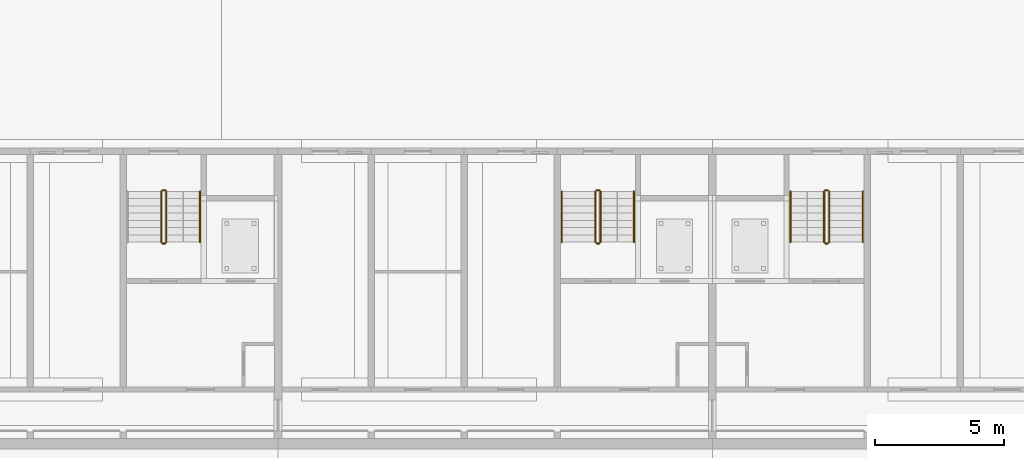
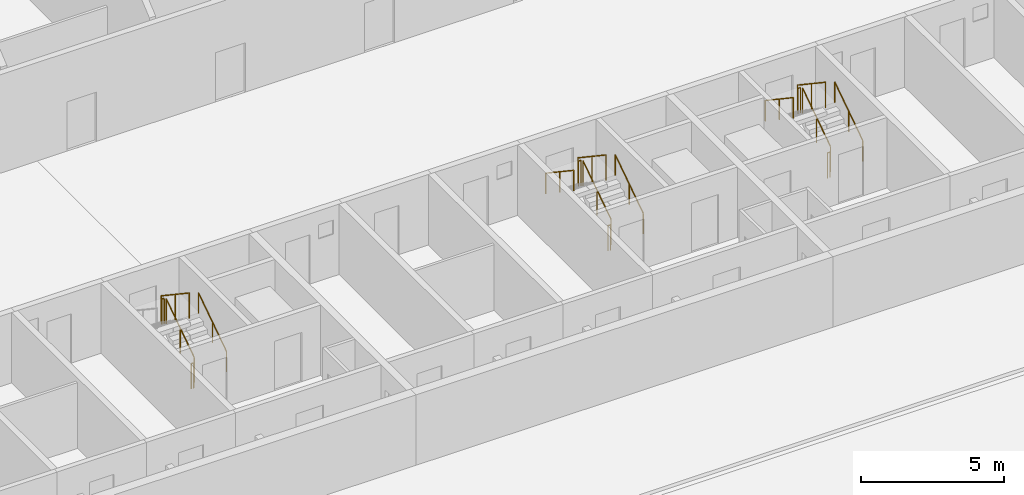
# One storey, part 102 of 112: 17 railings.
"""IFC4 building model written with IfcOpenShell, lengths in metres."""

from ifc_helpers import new_model, si_unit, direction, frame, origin, origin_2d, place, context, subcontext, project, spatial, circle, extrude, material, type_object, element, save


model = new_model("IFC4")

# Units and contexts
model_context = context("Model", 3, precision=1e-05, world=origin(), true_north=direction((0.0, 1.0)))
body_context = subcontext(model_context, "Body", "Model", "MODEL_VIEW")
ifc_project = project(units=[si_unit("LENGTHUNIT", "METRE"), si_unit("AREAUNIT", "SQUARE_METRE"), si_unit("VOLUMEUNIT", "CUBIC_METRE"), si_unit("PLANEANGLEUNIT", "RADIAN"), si_unit("MASSUNIT", "GRAM", prefix="KILO")], contexts=[model_context])

# Site, building, storey
site_placement = place(None, origin())
site = spatial("IfcSite", under=ifc_project, at=site_placement, CompositionType="ELEMENT")
building_placement = place(site_placement, origin())
building = spatial("IfcBuilding", under=site, at=building_placement, Name="Ridgestep Commons", CompositionType="ELEMENT")
storey_placement = place(building_placement, origin())
storey = spatial("IfcBuildingStorey", under=building, at=storey_placement, Name="L00", CompositionType="ELEMENT", Elevation=0.0)

# Railings
ifc_material_1 = material(Name="Structural steel S355JR", Category="steel")
railing_type_1 = type_object("IfcRailingType", Name="Stair guard 1100", PredefinedType="GUARDRAIL", material=ifc_material_1)
railing_1_placement = place(storey_placement, frame((192.875, 19.35009765625, 0.1875)))
element("IfcRailing", 1, at=railing_1_placement, inside=storey, type_object=railing_type_1, Name="L00 D3C stair guard 1", PredefinedType="GUARDRAIL", context=body_context, shape_type="SweptSolid", body=[
    extrude(circle(Radius=0.02392578125, at=origin_2d()), frame((0.0, 0.0, 1.076171875), z_axis=(0.0, 0.830902050051, 0.556418712142), x_axis=(-1.0, 0.0, 0.0)), (0.0, 0.0, 1.0), 2.35888671875),
    extrude(circle(Radius=0.02099609375, at=origin_2d()), origin(), (0.0, 0.0, 1.0), 1.052001953125),
    extrude(circle(Radius=0.02099609375, at=origin_2d()), frame((0.0, 0.97998046875, 0.65625)), (0.0, 0.0, 1.0), 1.052001953125),
    extrude(circle(Radius=0.02099609375, at=origin_2d()), frame((0.0, 1.9599609375, 1.3125)), (0.0, 0.0, 1.0), 1.052001953125),
])
railing_2_placement = place(storey_placement, frame((192.824951171875, 21.360107421875, 1.5)))
element("IfcRailing", 2, at=railing_2_placement, inside=storey, type_object=railing_type_1, Name="L00 D3C stair guard 2", PredefinedType="GUARDRAIL", context=body_context, shape_type="SweptSolid", body=[
    extrude(circle(Radius=0.02392578125, at=origin_2d()), frame((0.0, 0.0, 1.076171875), z_axis=(-1.0, 0.0, 0.0), x_axis=(0.0, -1.0, 0.0)), (0.0, 0.0, 1.0), 0.099853515625),
    extrude(circle(Radius=0.02099609375, at=origin_2d()), origin(), (0.0, 0.0, 1.0), 1.052001953125),
    extrude(circle(Radius=0.02099609375, at=origin_2d()), frame((-0.099853515625, 0.0, 0.0)), (0.0, 0.0, 1.0), 1.052001953125),
])
railing_3_placement = place(storey_placement, frame((192.675048828125, 21.31005859375, 1.6875)))
element("IfcRailing", 3, at=railing_3_placement, inside=storey, type_object=railing_type_1, Name="L00 D3C stair guard 3", PredefinedType="GUARDRAIL", context=body_context, shape_type="SweptSolid", body=[
    extrude(circle(Radius=0.02392578125, at=origin_2d()), frame((0.0, 0.0, 1.076171875), z_axis=(0.0, -0.830902050051, 0.556418712142), x_axis=(1.0, 0.0, 0.0)), (0.0, 0.0, 1.0), 2.35888671875),
    extrude(circle(Radius=0.02099609375, at=origin_2d()), origin(), (0.0, 0.0, 1.0), 1.052001953125),
    extrude(circle(Radius=0.02099609375, at=origin_2d()), frame((0.0, -0.97998046875, 0.65625)), (0.0, 0.0, 1.0), 1.052001953125),
    extrude(circle(Radius=0.02099609375, at=origin_2d()), frame((0.0, -1.9599609375, 1.3125)), (0.0, 0.0, 1.0), 1.052001953125),
])
railing_4_placement = place(storey_placement, frame((192.824951171875, 19.300048828125, 0.0)))
element("IfcRailing", 4, at=railing_4_placement, inside=storey, type_object=railing_type_1, Name="L00 D3C stair guard 4", PredefinedType="GUARDRAIL", context=body_context, shape_type="SweptSolid", body=[
    extrude(circle(Radius=0.02392578125, at=origin_2d()), frame((0.0, 0.0, 1.076171875), z_axis=(-1.0, 0.0, 0.0), x_axis=(0.0, -1.0, 0.0)), (0.0, 0.0, 1.0), 0.099853515625),
    extrude(circle(Radius=0.02099609375, at=origin_2d()), origin(), (0.0, 0.0, 1.0), 1.052001953125),
    extrude(circle(Radius=0.02099609375, at=origin_2d()), frame((-0.099853515625, 0.0, 0.0)), (0.0, 0.0, 1.0), 1.052001953125),
])
railing_5_placement = place(storey_placement, frame((209.675048828125, 19.35009765625, 0.1875)))
element("IfcRailing", 5, at=railing_5_placement, inside=storey, type_object=railing_type_1, Name="L00 D4C stair guard 1", PredefinedType="GUARDRAIL", context=body_context, shape_type="SweptSolid", body=[
    extrude(circle(Radius=0.02392578125, at=origin_2d()), frame((0.0, 0.0, 1.076171875), z_axis=(0.0, 0.830902050051, 0.556418712142), x_axis=(-1.0, 0.0, 0.0)), (0.0, 0.0, 1.0), 2.35888671875),
    extrude(circle(Radius=0.02099609375, at=origin_2d()), origin(), (0.0, 0.0, 1.0), 1.052001953125),
    extrude(circle(Radius=0.02099609375, at=origin_2d()), frame((0.0, 0.97998046875, 0.65625)), (0.0, 0.0, 1.0), 1.052001953125),
    extrude(circle(Radius=0.02099609375, at=origin_2d()), frame((0.0, 1.9599609375, 1.3125)), (0.0, 0.0, 1.0), 1.052001953125),
])
railing_6_placement = place(storey_placement, frame((209.625, 21.360107421875, 1.5)))
element("IfcRailing", 6, at=railing_6_placement, inside=storey, type_object=railing_type_1, Name="L00 D4C stair guard 2", PredefinedType="GUARDRAIL", context=body_context, shape_type="SweptSolid", body=[
    extrude(circle(Radius=0.02392578125, at=origin_2d()), frame((0.0, 0.0, 1.076171875), z_axis=(-1.0, 0.0, 0.0), x_axis=(0.0, -1.0, 0.0)), (0.0, 0.0, 1.0), 0.10009765625),
    extrude(circle(Radius=0.02099609375, at=origin_2d()), origin(), (0.0, 0.0, 1.0), 1.052001953125),
    extrude(circle(Radius=0.02099609375, at=origin_2d()), frame((-0.10009765625, 0.0, 0.0)), (0.0, 0.0, 1.0), 1.052001953125),
])
railing_7_placement = place(storey_placement, frame((209.47509765625, 21.31005859375, 1.6875)))
element("IfcRailing", 7, at=railing_7_placement, inside=storey, type_object=railing_type_1, Name="L00 D4C stair guard 3", PredefinedType="GUARDRAIL", context=body_context, shape_type="SweptSolid", body=[
    extrude(circle(Radius=0.02392578125, at=origin_2d()), frame((0.0, 0.0, 1.076171875), z_axis=(0.0, -0.830902050051, 0.556418712142), x_axis=(1.0, 0.0, 0.0)), (0.0, 0.0, 1.0), 2.35888671875),
    extrude(circle(Radius=0.02099609375, at=origin_2d()), origin(), (0.0, 0.0, 1.0), 1.052001953125),
    extrude(circle(Radius=0.02099609375, at=origin_2d()), frame((0.0, -0.97998046875, 0.65625)), (0.0, 0.0, 1.0), 1.052001953125),
    extrude(circle(Radius=0.02099609375, at=origin_2d()), frame((0.0, -1.9599609375, 1.3125)), (0.0, 0.0, 1.0), 1.052001953125),
])
railing_8_placement = place(storey_placement, frame((209.625, 19.300048828125, 0.0)))
element("IfcRailing", 8, at=railing_8_placement, inside=storey, type_object=railing_type_1, Name="L00 D4C stair guard 4", PredefinedType="GUARDRAIL", context=body_context, shape_type="SweptSolid", body=[
    extrude(circle(Radius=0.02392578125, at=origin_2d()), frame((0.0, 0.0, 1.076171875), z_axis=(-1.0, 0.0, 0.0), x_axis=(0.0, -1.0, 0.0)), (0.0, 0.0, 1.0), 0.10009765625),
    extrude(circle(Radius=0.02099609375, at=origin_2d()), origin(), (0.0, 0.0, 1.0), 1.052001953125),
    extrude(circle(Radius=0.02099609375, at=origin_2d()), frame((-0.10009765625, 0.0, 0.0)), (0.0, 0.0, 1.0), 1.052001953125),
])
railing_9_placement = place(storey_placement, frame((218.52490234375, 19.35009765625, 0.1875)))
element("IfcRailing", 9, at=railing_9_placement, inside=storey, type_object=railing_type_1, Name="L00 D5C stair guard 1", PredefinedType="GUARDRAIL", context=body_context, shape_type="SweptSolid", body=[
    extrude(circle(Radius=0.02392578125, at=origin_2d()), frame((0.0, 0.0, 1.076171875), z_axis=(0.0, 0.830902050051, 0.556418712142), x_axis=(-1.0, 0.0, 0.0)), (0.0, 0.0, 1.0), 2.35888671875),
    extrude(circle(Radius=0.02099609375, at=origin_2d()), origin(), (0.0, 0.0, 1.0), 1.052001953125),
    extrude(circle(Radius=0.02099609375, at=origin_2d()), frame((0.0, 0.97998046875, 0.65625)), (0.0, 0.0, 1.0), 1.052001953125),
    extrude(circle(Radius=0.02099609375, at=origin_2d()), frame((0.0, 1.9599609375, 1.3125)), (0.0, 0.0, 1.0), 1.052001953125),
])
railing_10_placement = place(storey_placement, frame((218.47509765625, 21.360107421875, 1.5)))
element("IfcRailing", 10, at=railing_10_placement, inside=storey, type_object=railing_type_1, Name="L00 D5C stair guard 2", PredefinedType="GUARDRAIL", context=body_context, shape_type="SweptSolid", body=[
    extrude(circle(Radius=0.02392578125, at=origin_2d()), frame((0.0, 0.0, 1.076171875), z_axis=(-1.0, 0.0, 0.0), x_axis=(0.0, -1.0, 0.0)), (0.0, 0.0, 1.0), 0.10009765625),
    extrude(circle(Radius=0.02099609375, at=origin_2d()), origin(), (0.0, 0.0, 1.0), 1.052001953125),
    extrude(circle(Radius=0.02099609375, at=origin_2d()), frame((-0.10009765625, 0.0, 0.0)), (0.0, 0.0, 1.0), 1.052001953125),
])
railing_11_placement = place(storey_placement, frame((218.324951171875, 21.31005859375, 1.6875)))
element("IfcRailing", 11, at=railing_11_placement, inside=storey, type_object=railing_type_1, Name="L00 D5C stair guard 3", PredefinedType="GUARDRAIL", context=body_context, shape_type="SweptSolid", body=[
    extrude(circle(Radius=0.02392578125, at=origin_2d()), frame((0.0, 0.0, 1.076171875), z_axis=(0.0, -0.830902050051, 0.556418712142), x_axis=(1.0, 0.0, 0.0)), (0.0, 0.0, 1.0), 2.35888671875),
    extrude(circle(Radius=0.02099609375, at=origin_2d()), origin(), (0.0, 0.0, 1.0), 1.052001953125),
    extrude(circle(Radius=0.02099609375, at=origin_2d()), frame((0.0, -0.97998046875, 0.65625)), (0.0, 0.0, 1.0), 1.052001953125),
    extrude(circle(Radius=0.02099609375, at=origin_2d()), frame((0.0, -1.9599609375, 1.3125)), (0.0, 0.0, 1.0), 1.052001953125),
])
railing_12_placement = place(storey_placement, frame((218.47509765625, 19.300048828125, 0.0)))
element("IfcRailing", 12, at=railing_12_placement, inside=storey, type_object=railing_type_1, Name="L00 D5C stair guard 4", PredefinedType="GUARDRAIL", context=body_context, shape_type="SweptSolid", body=[
    extrude(circle(Radius=0.02392578125, at=origin_2d()), frame((0.0, 0.0, 1.076171875), z_axis=(-1.0, 0.0, 0.0), x_axis=(0.0, -1.0, 0.0)), (0.0, 0.0, 1.0), 0.10009765625),
    extrude(circle(Radius=0.02099609375, at=origin_2d()), origin(), (0.0, 0.0, 1.0), 1.052001953125),
    extrude(circle(Radius=0.02099609375, at=origin_2d()), frame((-0.10009765625, 0.0, 0.0)), (0.0, 0.0, 1.0), 1.052001953125),
])
ifc_material_2 = material(Name="Structural steel S355JR", Category="steel")
railing_type_2 = type_object("IfcRailingType", Name="Stair handrail 900", PredefinedType="HANDRAIL", material=ifc_material_2)
for number, where, name in (
    (13, (194.175048828125, 19.35009765625, 0.1875), "L00 D3C stair handrail 1"),
    (14, (210.97509765625, 19.35009765625, 0.1875), "L00 D4C stair handrail 1"),
):
    element("IfcRailing", number, at=place(storey_placement, frame(where)), inside=storey, type_object=railing_type_2, Name=name, PredefinedType="HANDRAIL", context=body_context, shape_type="SweptSolid", body=[
        extrude(circle(Radius=0.02392578125, at=origin_2d()), frame((0.0, 0.0, 0.8759765625), z_axis=(0.0, 0.830902050051, 0.556418712142), x_axis=(-1.0, 0.0, 0.0)), (0.0, 0.0, 1.0), 2.35888671875),
        extrude(circle(Radius=0.02099609375, at=origin_2d()), origin(), (0.0, 0.0, 1.0), 0.851806640625),
        extrude(circle(Radius=0.02099609375, at=origin_2d()), frame((0.0, 0.97998046875, 0.65625)), (0.0, 0.0, 1.0), 0.851806640625),
        extrude(circle(Radius=0.02099609375, at=origin_2d()), frame((0.0, 1.9599609375, 1.3125)), (0.0, 0.0, 1.0), 0.851806640625),
    ])
railing_13_placement = place(storey_placement, frame((208.175048828125, 21.31005859375, 1.6875)))
element("IfcRailing", 15, at=railing_13_placement, inside=storey, type_object=railing_type_2, Name="L00 D4C stair handrail 2", PredefinedType="HANDRAIL", context=body_context, shape_type="SweptSolid", body=[
    extrude(circle(Radius=0.02392578125, at=origin_2d()), frame((0.0, 0.0, 0.8759765625), z_axis=(0.0, -0.830902050051, 0.556418712142), x_axis=(1.0, 0.0, 0.0)), (0.0, 0.0, 1.0), 2.35888671875),
    extrude(circle(Radius=0.02099609375, at=origin_2d()), origin(), (0.0, 0.0, 1.0), 0.851806640625),
    extrude(circle(Radius=0.02099609375, at=origin_2d()), frame((0.0, -0.97998046875, 0.65625)), (0.0, 0.0, 1.0), 0.851806640625),
    extrude(circle(Radius=0.02099609375, at=origin_2d()), frame((0.0, -1.9599609375, 1.3125)), (0.0, 0.0, 1.0), 0.851806640625),
])
railing_14_placement = place(storey_placement, frame((219.824951171875, 19.35009765625, 0.1875)))
element("IfcRailing", 16, at=railing_14_placement, inside=storey, type_object=railing_type_2, Name="L00 D5C stair handrail 1", PredefinedType="HANDRAIL", context=body_context, shape_type="SweptSolid", body=[
    extrude(circle(Radius=0.02392578125, at=origin_2d()), frame((0.0, 0.0, 0.8759765625), z_axis=(0.0, 0.830902050051, 0.556418712142), x_axis=(-1.0, 0.0, 0.0)), (0.0, 0.0, 1.0), 2.35888671875),
    extrude(circle(Radius=0.02099609375, at=origin_2d()), origin(), (0.0, 0.0, 1.0), 0.851806640625),
    extrude(circle(Radius=0.02099609375, at=origin_2d()), frame((0.0, 0.97998046875, 0.65625)), (0.0, 0.0, 1.0), 0.851806640625),
    extrude(circle(Radius=0.02099609375, at=origin_2d()), frame((0.0, 1.9599609375, 1.3125)), (0.0, 0.0, 1.0), 0.851806640625),
])
railing_15_placement = place(storey_placement, frame((217.02490234375, 21.31005859375, 1.6875)))
element("IfcRailing", 17, at=railing_15_placement, inside=storey, type_object=railing_type_2, Name="L00 D5C stair handrail 2", PredefinedType="HANDRAIL", context=body_context, shape_type="SweptSolid", body=[
    extrude(circle(Radius=0.02392578125, at=origin_2d()), frame((0.0, 0.0, 0.8759765625), z_axis=(0.0, -0.830902050051, 0.556418712142), x_axis=(1.0, 0.0, 0.0)), (0.0, 0.0, 1.0), 2.35888671875),
    extrude(circle(Radius=0.02099609375, at=origin_2d()), origin(), (0.0, 0.0, 1.0), 0.851806640625),
    extrude(circle(Radius=0.02099609375, at=origin_2d()), frame((0.0, -0.97998046875, 0.65625)), (0.0, 0.0, 1.0), 0.851806640625),
    extrude(circle(Radius=0.02099609375, at=origin_2d()), frame((0.0, -1.9599609375, 1.3125)), (0.0, 0.0, 1.0), 0.851806640625),
])

save(model, "model.ifc")
